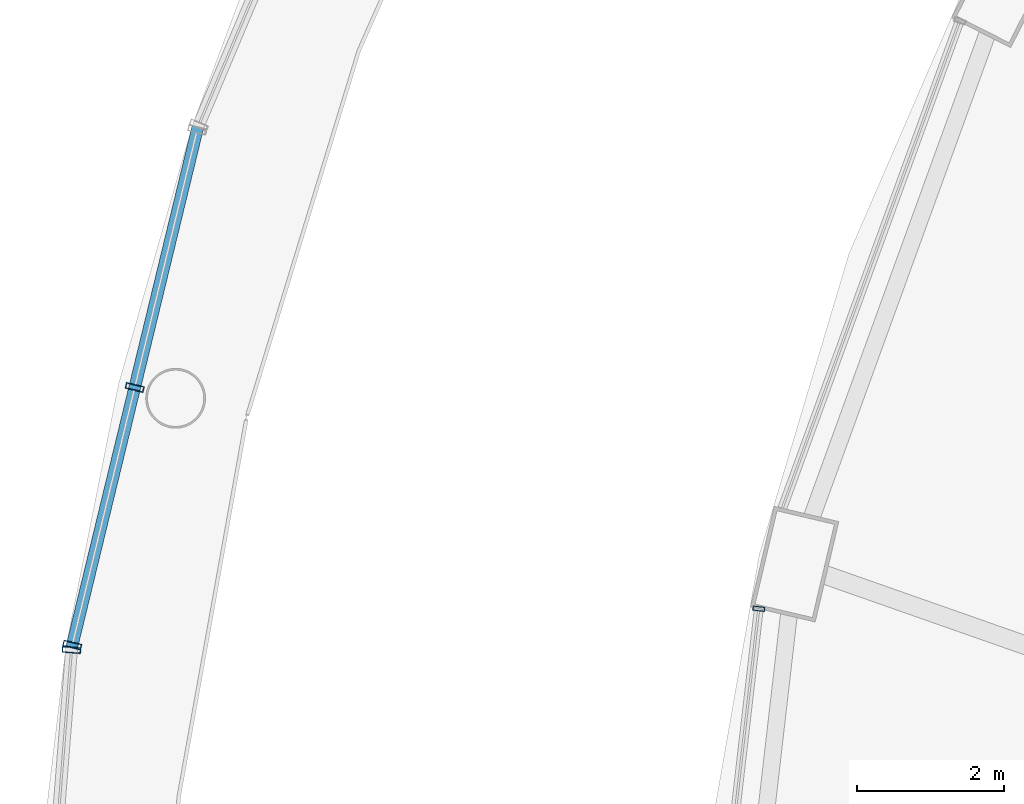
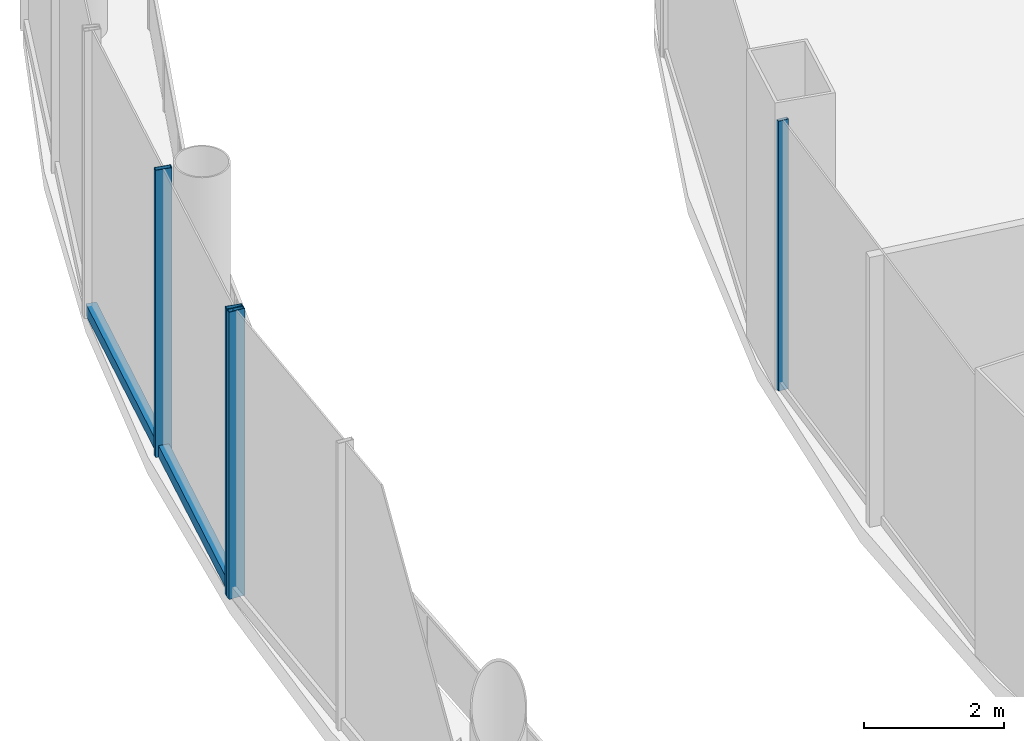
# One storey, part 19 of 48: 5 members, 3 elements without a shape of their own.
"""IFC4 building model written with IfcOpenShell, lengths in metres."""

from ifc_helpers import new_model, si_unit, direction, frame, origin, origin_2d, place, context, subcontext, project, spatial, hollow_rectangle, extrude, material, layer, layer_set, material_profile, profile_set, type_object, element, aggregate, save


model = new_model("IFC4")

# Units and contexts
model_context = context("Model", 3, precision=1e-05, world=origin(), true_north=direction((0.0, 1.0)))
body_context = subcontext(model_context, "Body", "Model", "MODEL_VIEW")
ifc_project = project(units=[si_unit("LENGTHUNIT", "METRE"), si_unit("AREAUNIT", "SQUARE_METRE"), si_unit("VOLUMEUNIT", "CUBIC_METRE"), si_unit("PLANEANGLEUNIT", "RADIAN"), si_unit("MASSUNIT", "GRAM", prefix="KILO")], contexts=[model_context])

# Site, building, storey
site_placement = place(None, origin())
site = spatial("IfcSite", under=ifc_project, at=site_placement, CompositionType="ELEMENT")
building_placement = place(site_placement, origin())
building = spatial("IfcBuilding", under=site, at=building_placement, Name="Nagisa Residences", CompositionType="ELEMENT")
storey_placement = place(building_placement, frame((0.0, 0.0, 12.0)))
storey = spatial("IfcBuildingStorey", under=building, at=storey_placement, Name="L02", CompositionType="ELEMENT", Elevation=12.0)

# Curtain wall, members
ifc_material_1 = material(Name="Stainless steel curtain wall system", Category="steel")
ifc_layer_1 = layer(ifc_material_1, 0.159912109375)
ifc_layer_set_1 = layer_set([ifc_layer_1], Name="CW3 CURTAIN WALL")
curtain_wall_type_1 = type_object("IfcCurtainWallType", Name="CW3 CURTAIN WALL", PredefinedType="NOTDEFINED", material=ifc_layer_set_1)
curtain_wall_1_placement = place(storey_placement, origin())
curtain_wall_1 = element("IfcCurtainWall", 1, at=curtain_wall_1_placement, inside=storey, type_object=curtain_wall_type_1, Name="cw:CW3:L02:16", PredefinedType="NOTDEFINED")
ifc_material_2 = material(Name="Stainless steel", Category="steel")
ifc_material_profile_1 = material_profile(ifc_material_2, hollow_rectangle(XDim=0.25, YDim=0.080078125, WallThickness=0.008056640625, at=origin_2d()), Name="CW3 MULLION 250x80")
ifc_profile_set_1 = profile_set([ifc_material_profile_1], Name="Stainless steel")
member_type_1 = type_object("IfcMemberType", Name="CW3 MULLION 250x80", PredefinedType="MULLION", material=ifc_profile_set_1)
member_1_placement = place(storey_placement, frame((-32.8876953125, 10.810302734375, 0.0), z_axis=(0.0, 0.0, 1.0), x_axis=(0.971848775146, -0.235605514043, 0.0)))
member_1 = element("IfcMember", 2, at=member_1_placement, type_object=member_type_1, Name="CW3 mullion", PredefinedType="MULLION", context=body_context, shape_type="SweptSolid", body=[
    extrude(hollow_rectangle(XDim=0.25, YDim=0.080078125, WallThickness=0.008056640625, at=origin_2d()), origin(), (0.0, 0.0, 1.0), 5.0),
])
member_2_placement = place(storey_placement, frame((-33.735595703125, 7.313232421875, 0.0), z_axis=(0.0, 0.0, 1.0), x_axis=(0.971848775146, -0.235605514043, 0.0)))
member_2 = element("IfcMember", 3, at=member_2_placement, type_object=member_type_1, Name="CW3 mullion", PredefinedType="MULLION", context=body_context, shape_type="SweptSolid", body=[
    extrude(hollow_rectangle(XDim=0.25, YDim=0.080078125, WallThickness=0.008056640625, at=origin_2d()), origin(), (0.0, 0.0, 1.0), 5.0),
])

# Curtain wall, member
curtain_wall_2_placement = place(storey_placement, origin())
curtain_wall_2 = element("IfcCurtainWall", 4, at=curtain_wall_2_placement, inside=storey, type_object=curtain_wall_type_1, Name="cw:CW3:L02:17", PredefinedType="NOTDEFINED")
member_3_placement = place(storey_placement, frame((-33.74609375, 7.2470703125, 0.0), z_axis=(0.0, 0.0, 1.0), x_axis=(0.996881777235, -0.078909582539, 0.0)))
member_3 = element("IfcMember", 5, at=member_3_placement, type_object=member_type_1, Name="CW3 mullion", PredefinedType="MULLION", context=body_context, shape_type="SweptSolid", body=[
    extrude(hollow_rectangle(XDim=0.25, YDim=0.080078125, WallThickness=0.008056640625, at=origin_2d()), origin(), (0.0, 0.0, 1.0), 5.0),
])
aggregate(curtain_wall_2, [member_3])

# Member
ifc_material_3 = material(Name="Stainless steel", Category="steel")
ifc_material_profile_2 = material_profile(ifc_material_3, hollow_rectangle(XDim=0.159912109375, YDim=0.199951171875, WallThickness=0.008056640625, at=origin_2d()), Name="CW3 TRANSOM 160x200")
ifc_profile_set_2 = profile_set([ifc_material_profile_2], Name="Stainless steel")
member_type_2 = type_object("IfcMemberType", Name="CW3 TRANSOM 160x200", PredefinedType="USERDEFINED", material=ifc_profile_set_2)
member_4_placement = place(storey_placement, frame((-32.030517578125, 14.345947265625, 0.10009765625), z_axis=(-0.235605787455, -0.971848708863, 0.0), x_axis=(0.971848708863, -0.235605787455, 0.0)))
member_4 = element("IfcMember", 6, at=member_4_placement, type_object=member_type_2, Name="CW3 transom", ObjectType="TRANSOM", PredefinedType="USERDEFINED", context=body_context, shape_type="SweptSolid", body=[
    extrude(hollow_rectangle(XDim=0.159912109375, YDim=0.199951171875, WallThickness=0.008056640625, at=origin_2d()), origin(), (0.0, 0.0, 1.0), 7.2763671875),
])

aggregate(curtain_wall_1, [member_1, member_2, member_4])

# Curtain wall, member
ifc_material_4 = material(Name="Stainless steel curtain wall system", Category="steel")
ifc_layer_2 = layer(ifc_material_4, 0.159912109375)
ifc_layer_set_2 = layer_set([ifc_layer_2], Name="CW6 CURTAIN WALL")
curtain_wall_type_2 = type_object("IfcCurtainWallType", Name="CW6 CURTAIN WALL", PredefinedType="NOTDEFINED", material=ifc_layer_set_2)
curtain_wall_3_placement = place(storey_placement, origin())
curtain_wall_3 = element("IfcCurtainWall", 7, at=curtain_wall_3_placement, inside=storey, type_object=curtain_wall_type_2, Name="cw:CW6:L02:22", PredefinedType="NOTDEFINED")
ifc_material_5 = material(Name="Stainless steel", Category="steel")
ifc_material_profile_3 = material_profile(ifc_material_5, hollow_rectangle(XDim=0.159912109375, YDim=0.06005859375, WallThickness=0.006103515625, at=origin_2d()), Name="CW6 MULLION 160x60")
ifc_profile_set_3 = profile_set([ifc_material_profile_3], Name="Stainless steel")
member_type_3 = type_object("IfcMemberType", Name="CW6 MULLION 160x60", PredefinedType="MULLION", material=ifc_profile_set_3)
member_5_placement = place(storey_placement, frame((-24.416259765625, 7.806640625, 0.0), z_axis=(0.0, 0.0, 1.0), x_axis=(0.993373823596, -0.114928006139, 0.0)))
member_5 = element("IfcMember", 8, at=member_5_placement, type_object=member_type_3, Name="CW6 mullion", PredefinedType="MULLION", context=body_context, shape_type="SweptSolid", body=[
    extrude(hollow_rectangle(XDim=0.159912109375, YDim=0.06005859375, WallThickness=0.006103515625, at=origin_2d()), origin(), (0.0, 0.0, 1.0), 4.699951171875),
])
aggregate(curtain_wall_3, [member_5])

save(model, "model.ifc")
